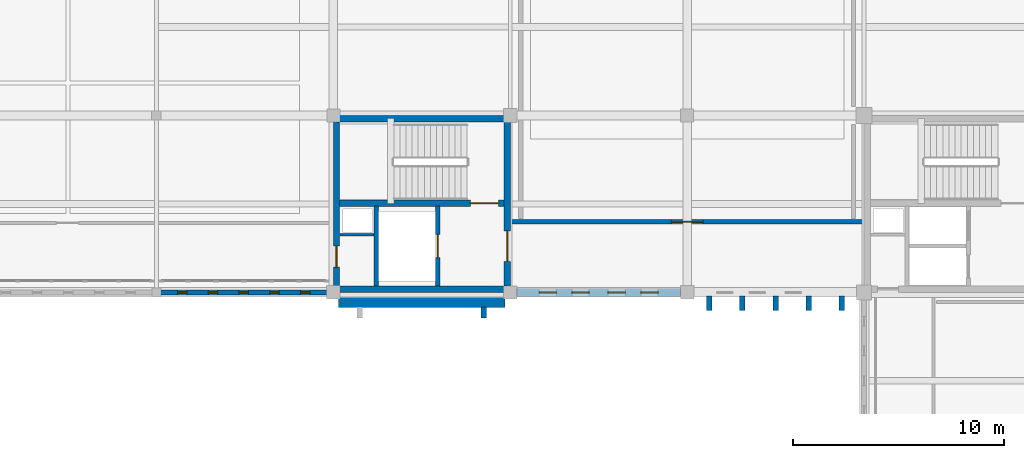
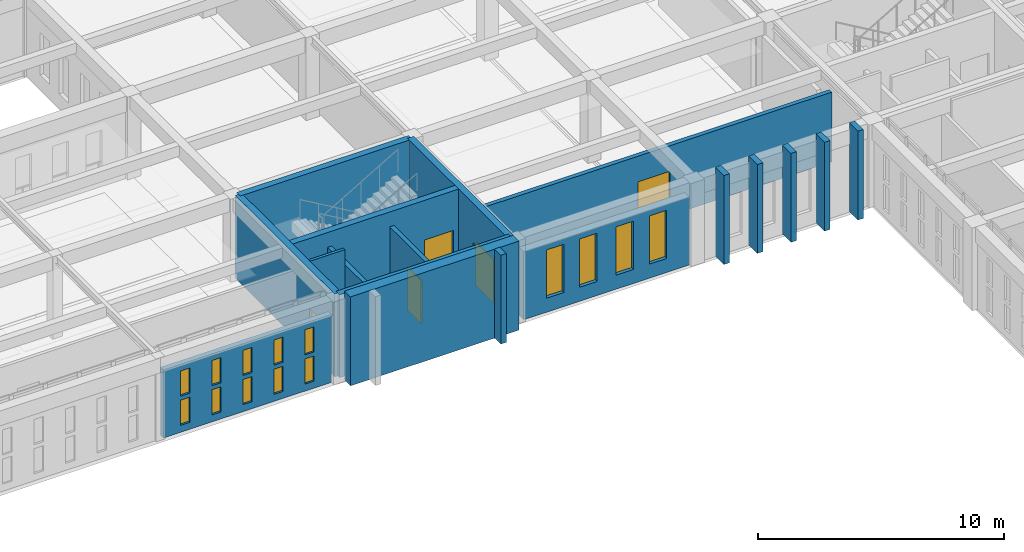
# One storey, part 171 of 192: 18 walls, 14 windows, 5 doors, 19 openings.
"""IFC4 building model written with IfcOpenShell, lengths in metres."""

import ifcopenshell
import ifcopenshell.guid

model = None  # the IFC model being written
_history = None  # IfcOwnerHistory: only IFC2X3 demands one
_inside = {}  # id of a spatial element -> (the spatial element, [elements in it])
_under = {}  # id of a project, library or spatial element -> (it, [spatial elements below it])
_declared = {}  # id of a project -> (the project, [libraries it declares])
_typed = {}  # id of a type object -> (the type object, [elements of that type])
_made_of = {}  # id of a material, layer set ... -> (it, [elements and type objects made of it])


def new_model(schema):
    """Start an empty IFC model of exactly this schema.

    Asked for "IFC4X3", IfcOpenShell would pick the latest addendum, in which some entities
    have other attributes; the version numbers below select the first issue.
    IFC2X3 requires an IfcOwnerHistory on every rooted entity: one is made here for all.
    """
    global model, _history
    if schema == "IFC4X3":
        model = ifcopenshell.file(schema_version=(4, 3, 0, 0))
    else:
        model = ifcopenshell.file(schema=schema)
    _inside.clear()
    _under.clear()
    _declared.clear()
    _typed.clear()
    _made_of.clear()
    _history = None
    if model.schema == "IFC2X3":
        org = make("IfcOrganization", Name="unknown")
        user = make(
            "IfcPersonAndOrganization",
            ThePerson=make("IfcPerson", FamilyName="unknown"),
            TheOrganization=org,
        )
        app = make(
            "IfcApplication",
            ApplicationDeveloper=org,
            Version="unknown",
            ApplicationFullName="unknown",
            ApplicationIdentifier="unknown",
        )
        _history = make(
            "IfcOwnerHistory",
            OwningUser=user,
            OwningApplication=app,
            ChangeAction="ADDED",
            CreationDate=0,
        )
    return model


def make(cls, **values):
    """One entity of the class cls with the attributes given. An attribute that is None is left unset."""
    return model.create_entity(
        cls, **{name: value for name, value in values.items() if value is not None}
    )


def rooted(cls, **values):
    """An entity with a GlobalId (a new one), such as an element, a storey or a relation."""
    return make(cls, GlobalId=ifcopenshell.guid.new(), OwnerHistory=_history, **values)


def si_unit(unit_type, name, prefix=None):
    """IfcSIUnit, for example si_unit("LENGTHUNIT", "METRE", prefix="MILLI")."""
    return make("IfcSIUnit", UnitType=unit_type, Prefix=prefix, Name=name)


def assignment(units):
    """IfcUnitAssignment: the units of a project."""
    return None if units is None else make("IfcUnitAssignment", Units=units)


def point(xyz):
    """IfcCartesianPoint."""
    return None if xyz is None else make("IfcCartesianPoint", Coordinates=xyz)


def direction(xyz):
    """IfcDirection."""
    return None if xyz is None else make("IfcDirection", DirectionRatios=xyz)


def frame(location, z_axis=None, x_axis=None):
    """IfcAxis2Placement3D, a coordinate frame: its origin and axes. An axis left out is left unset."""
    return make(
        "IfcAxis2Placement3D",
        Location=point(location),
        Axis=direction(z_axis),
        RefDirection=direction(x_axis),
    )


def frame_2d(location, x_axis=None):
    """IfcAxis2Placement2D, a coordinate frame in the plane: its origin and x axis."""
    return make(
        "IfcAxis2Placement2D", Location=point(location), RefDirection=direction(x_axis)
    )


def origin():
    """The frame at (0, 0, 0) with its axes left unset."""
    return frame((0.0, 0.0, 0.0))


def place(relative_to, where):
    """IfcLocalPlacement: puts the frame where relative to a parent placement (None: the world)."""
    return make(
        "IfcLocalPlacement", PlacementRelTo=relative_to, RelativePlacement=where
    )


def context(
    kind, dimensions, precision=None, world=None, true_north=None, identifier=None
):
    """IfcGeometricRepresentationContext, for example the 3D "Model" context."""
    return make(
        "IfcGeometricRepresentationContext",
        ContextIdentifier=identifier,
        ContextType=kind,
        CoordinateSpaceDimension=dimensions,
        Precision=precision,
        WorldCoordinateSystem=world,
        TrueNorth=true_north,
    )


def subcontext(parent, identifier, kind, view, scale=None):
    """IfcGeometricRepresentationSubContext, for example "Body" below "Model"."""
    return make(
        "IfcGeometricRepresentationSubContext",
        ContextIdentifier=identifier,
        ContextType=kind,
        ParentContext=parent,
        TargetScale=scale,
        TargetView=view,
    )


def project(units=None, contexts=None):
    """IfcProject with its units and contexts."""
    return rooted(
        "IfcProject",
        Name="project",
        RepresentationContexts=contexts,
        UnitsInContext=assignment(units),
    )


def spatial(cls, under=None, at=None, **own):
    """A site, building, storey or space (cls), placed at a placement, below another one or the project."""
    s = rooted(cls, ObjectPlacement=at, **own)
    if under is not None:
        _under.setdefault(under.id(), (under, []))[1].append(s)
    return s


def profile(cls, at=None, kind="AREA", **sizes):
    """A parametric profile (cls). Its sizes go by their IFC names, for example OverallWidth=200.0."""
    return make(cls, ProfileType=kind, Position=at, **sizes)


def rectangle(**sizes):
    """IfcRectangleProfileDef."""
    return profile("IfcRectangleProfileDef", **sizes)


def extrude(swept, where, along, depth):
    """IfcExtrudedAreaSolid: the profile swept, set in the frame where, extruded along a direction by depth."""
    return make(
        "IfcExtrudedAreaSolid",
        SweptArea=swept,
        Position=where,
        ExtrudedDirection=direction(along),
        Depth=depth,
    )


def shape(context_of_items, identifier, shape_type, items):
    """IfcShapeRepresentation: the items that make up one representation, for example the "Body"."""
    return make(
        "IfcShapeRepresentation",
        ContextOfItems=context_of_items,
        RepresentationIdentifier=identifier,
        RepresentationType=shape_type,
        Items=items,
    )


def material(Name=None, Category=None):
    """IfcMaterial."""
    return make("IfcMaterial", Name=Name, Category=Category)


def layer(
    of_material, thickness, ventilated=None, Name=None, Category=None, Priority=None
):
    """IfcMaterialLayer: one layer of a wall or slab, of a material (None: an air gap)."""
    return make(
        "IfcMaterialLayer",
        Material=of_material,
        LayerThickness=thickness,
        IsVentilated=ventilated,
        Name=Name,
        Category=Category,
        Priority=Priority,
    )


def layer_set(layers, Name=None):
    """IfcMaterialLayerSet."""
    return make("IfcMaterialLayerSet", MaterialLayers=layers, LayerSetName=Name)


def made_of(thing, what):
    """Note that an element or type object is made of a material, layer set ...; save() writes the relation."""
    if what is not None:
        _made_of.setdefault(what.id(), (what, []))[1].append(thing)
    return thing


def type_object(cls, material=None, **own):
    """A type object (cls), such as IfcWallType, which elements share."""
    return made_of(rooted(cls, **own), material)


def element(
    cls,
    number,
    at=None,
    inside=None,
    cuts=None,
    type_object=None,
    material=None,
    context=None,
    identifier="Body",
    shape_type=None,
    held_by="IfcProductDefinitionShape",
    body=None,
    shapes=None,
    **own,
):
    """One element of the class cls, such as IfcWall. Its Tag is "e" and its number.

    at: its placement. inside: the storey or other place that contains it. cuts: it is an
    opening in that element (IfcRelVoidsElement). A single representation is given by context,
    identifier, shape_type and body (its items); several are given by shapes. held_by: the class
    of the entity that holds the representations. save() writes the other relations.
    """
    e = rooted(cls, Tag="e%d" % number, ObjectPlacement=at, **own)
    if body is not None:
        shapes = [shape(context, identifier, shape_type, body)]
    if shapes is not None:
        e.Representation = make(held_by, Representations=shapes)
    if inside is not None:
        _inside.setdefault(inside.id(), (inside, []))[1].append(e)
    if cuts is not None:
        rooted(
            "IfcRelVoidsElement", RelatingBuildingElement=cuts, RelatedOpeningElement=e
        )
    if type_object is not None:
        _typed.setdefault(type_object.id(), (type_object, []))[1].append(e)
    return made_of(e, material)


def fill(opening, filler):
    """IfcRelFillsElement: the door or window that sits in an opening."""
    return rooted(
        "IfcRelFillsElement",
        RelatingOpeningElement=opening,
        RelatedBuildingElement=filler,
    )


def aggregate(whole, parts):
    """IfcRelAggregates: a whole, such as a stair, and the parts it consists of."""
    return rooted("IfcRelAggregates", RelatingObject=whole, RelatedObjects=parts)


def save(model, path):
    """Write the relations noted so far, then the file.

    IfcRelAggregates (storeys below a building ...), IfcRelContainedInSpatialStructure (elements
    in a storey), IfcRelDefinesByType, IfcRelAssociatesMaterial and IfcRelDeclares: one each for
    every whole, place, type object, material and project.
    """
    for whole, parts in _under.values():
        aggregate(whole, parts)
    for where, things in _inside.values():
        rooted(
            "IfcRelContainedInSpatialStructure",
            RelatedElements=things,
            RelatingStructure=where,
        )
    for kind, things in _typed.values():
        rooted("IfcRelDefinesByType", RelatedObjects=things, RelatingType=kind)
    for what, things in _made_of.values():
        rooted("IfcRelAssociatesMaterial", RelatedObjects=things, RelatingMaterial=what)
    for by, libraries in _declared.values():
        rooted("IfcRelDeclares", RelatingContext=by, RelatedDefinitions=libraries)
    model.write(path)


model = new_model("IFC4")

# Units and contexts
model_context = context("Model", 3, precision=1e-05, world=origin(), true_north=direction((0.0, 1.0)))
body_context = subcontext(model_context, "Body", "Model", "MODEL_VIEW")
ifc_project = project(units=[si_unit("LENGTHUNIT", "METRE"), si_unit("AREAUNIT", "SQUARE_METRE"), si_unit("VOLUMEUNIT", "CUBIC_METRE"), si_unit("PLANEANGLEUNIT", "RADIAN"), si_unit("MASSUNIT", "GRAM", prefix="KILO")], contexts=[model_context])

# Site, building, storey
site_placement = place(None, origin())
site = spatial("IfcSite", under=ifc_project, at=site_placement, CompositionType="ELEMENT")
building_placement = place(site_placement, origin())
building = spatial("IfcBuilding", under=site, at=building_placement, Name="Kveldsbrygga Polytechnic", CompositionType="ELEMENT")
storey_placement = place(building_placement, frame((0.0, 0.0, 5.43994140625)))
storey = spatial("IfcBuildingStorey", under=building, at=storey_placement, Name="L01", CompositionType="ELEMENT", Elevation=5.43994140625)

# Wall
ifc_material_1 = material(Name="Fired clay brick masonry M10", Category="masonry")
ifc_layer_1 = layer(ifc_material_1, 0.47998046875)
ifc_layer_set_1 = layer_set([ifc_layer_1], Name="Fired clay brick masonry M10")
wall_type_1 = type_object("IfcWallType", Name="EW-BAST-480", PredefinedType="SOLIDWALL", material=ifc_layer_set_1)
wall_1_placement = place(storey_placement, frame((101.0400390625, 83.52001953125, 0.0), z_axis=(0.0, 0.0, 1.0), x_axis=(1.0, 0.0, 0.0)))
element("IfcWall", 1, at=wall_1_placement, inside=storey, type_object=wall_type_1, Name="Corner Stair Bastion Wall BAST-L01-X-12-10", PredefinedType="SOLIDWALL", context=body_context, shape_type="SweptSolid", body=[
    extrude(rectangle(XDim=7.919921875, YDim=0.47998046875, at=frame_2d((3.9599609375, 0.0))), origin(), (0.0, 0.0, 1.0), 4.420166015625),
])

# Wall, openings, windows
ifc_layer_2 = layer(ifc_material_1, 0.3798828125)
ifc_layer_set_2 = layer_set([ifc_layer_2], Name="Fired clay brick masonry M10")
wall_type_2 = type_object("IfcWallType", Name="EW-BRICK-380", PredefinedType="SOLIDWALL", material=ifc_layer_set_2)
wall_2_placement = place(storey_placement, frame((109.4951171875, 84.0, 0.0), z_axis=(0.0, 0.0, 1.0), x_axis=(1.0, 0.0, 0.0)))
wall_2 = element("IfcWall", 2, at=wall_2_placement, inside=storey, type_object=wall_type_2, Name="Exterior Brick Wall EW-L01-X-13-10", PredefinedType="SOLIDWALL", context=body_context, shape_type="SweptSolid", body=[
    extrude(rectangle(XDim=7.794921875, YDim=0.3798828125, at=frame_2d((3.8974609375, 0.0))), origin(), (0.0, 0.0, 1.0), 3.380126953125),
])
opening_1_placement = place(wall_2_placement, frame((1.071044921875, 0.0, 0.699951171875)))
opening_1 = element("IfcOpeningElement", 3, at=opening_1_placement, cuts=wall_2, Name="Opening W-12", PredefinedType="OPENING", context=body_context, shape_type="SweptSolid", body=[
    extrude(rectangle(XDim=0.820068359375, YDim=2.39990234375, at=frame_2d((0.41015625, 1.199951171875))), frame((0.0, 0.199951171875, 0.0), z_axis=(0.0, -1.0, 0.0), x_axis=(1.0, 0.0, 0.0)), (0.0, 0.0, 1.0), 0.39990234375),
])
opening_2_placement = place(wall_2_placement, frame((2.630126953125, 0.0, 0.699951171875)))
opening_2 = element("IfcOpeningElement", 4, at=opening_2_placement, cuts=wall_2, Name="Opening W-12", PredefinedType="OPENING", context=body_context, shape_type="SweptSolid", body=[
    extrude(rectangle(XDim=0.820068359375, YDim=2.39990234375, at=frame_2d((0.41015625, 1.199951171875))), frame((0.0, 0.199951171875, 0.0), z_axis=(0.0, -1.0, 0.0), x_axis=(1.0, 0.0, 0.0)), (0.0, 0.0, 1.0), 0.39990234375),
])
opening_3_placement = place(wall_2_placement, frame((4.344970703125, 0.0, 0.699951171875)))
opening_3 = element("IfcOpeningElement", 5, at=opening_3_placement, cuts=wall_2, Name="Opening W-12", PredefinedType="OPENING", context=body_context, shape_type="SweptSolid", body=[
    extrude(rectangle(XDim=0.820068359375, YDim=2.39990234375, at=frame_2d((0.41015625, 1.199951171875))), frame((0.0, 0.199951171875, 0.0), z_axis=(0.0, -1.0, 0.0), x_axis=(1.0, 0.0, 0.0)), (0.0, 0.0, 1.0), 0.39990234375),
])
opening_4_placement = place(wall_2_placement, frame((5.904052734375, 0.0, 0.699951171875)))
opening_4 = element("IfcOpeningElement", 6, at=opening_4_placement, cuts=wall_2, Name="Opening W-12", PredefinedType="OPENING", context=body_context, shape_type="SweptSolid", body=[
    extrude(rectangle(XDim=0.820068359375, YDim=2.39990234375, at=frame_2d((0.41015625, 1.199951171875))), frame((0.0, 0.199951171875, 0.0), z_axis=(0.0, -1.0, 0.0), x_axis=(1.0, 0.0, 0.0)), (0.0, 0.0, 1.0), 0.39990234375),
])
ifc_material_2 = material(Name="Insulated triple low-E glass", Category="glass")
window_type_1 = type_object("IfcWindowType", Name="WN-LANC-082x240", PartitioningType="DOUBLE_PANEL_VERTICAL", PredefinedType="WINDOW", material=ifc_material_2)
window_1_placement = place(opening_1_placement, origin())
window_1 = element("IfcWindow", 7, at=window_1_placement, inside=storey, type_object=window_type_1, Name="Gothic Lancet Window WIN-L01-X-13-10-1", OverallHeight=2.39990234375, OverallWidth=0.820068359375, PartitioningType="DOUBLE_PANEL_VERTICAL", PredefinedType="WINDOW", context=body_context, shape_type="SweptSolid", body=[
    extrude(rectangle(XDim=0.820068359375, YDim=2.39990234375, at=frame_2d((0.41015625, 1.199951171875))), frame((0.0, 0.030029296875, 0.0), z_axis=(0.0, -1.0, 0.0), x_axis=(1.0, 0.0, 0.0)), (0.0, 0.0, 1.0), 0.06005859375),
])
fill(opening_1, window_1)
window_2_placement = place(opening_2_placement, origin())
window_2 = element("IfcWindow", 8, at=window_2_placement, inside=storey, type_object=window_type_1, Name="Gothic Lancet Window WIN-L01-X-13-10-2", OverallHeight=2.39990234375, OverallWidth=0.820068359375, PartitioningType="DOUBLE_PANEL_VERTICAL", PredefinedType="WINDOW", context=body_context, shape_type="SweptSolid", body=[
    extrude(rectangle(XDim=0.820068359375, YDim=2.39990234375, at=frame_2d((0.41015625, 1.199951171875))), frame((0.0, 0.030029296875, 0.0), z_axis=(0.0, -1.0, 0.0), x_axis=(1.0, 0.0, 0.0)), (0.0, 0.0, 1.0), 0.06005859375),
])
fill(opening_2, window_2)
window_3_placement = place(opening_3_placement, origin())
window_3 = element("IfcWindow", 9, at=window_3_placement, inside=storey, type_object=window_type_1, Name="Gothic Lancet Window WIN-L01-X-13-10-3", OverallHeight=2.39990234375, OverallWidth=0.820068359375, PartitioningType="DOUBLE_PANEL_VERTICAL", PredefinedType="WINDOW", context=body_context, shape_type="SweptSolid", body=[
    extrude(rectangle(XDim=0.820068359375, YDim=2.39990234375, at=frame_2d((0.41015625, 1.199951171875))), frame((0.0, 0.030029296875, 0.0), z_axis=(0.0, -1.0, 0.0), x_axis=(1.0, 0.0, 0.0)), (0.0, 0.0, 1.0), 0.06005859375),
])
fill(opening_3, window_3)
window_4_placement = place(opening_4_placement, origin())
window_4 = element("IfcWindow", 10, at=window_4_placement, inside=storey, type_object=window_type_1, Name="Gothic Lancet Window WIN-L01-X-13-10-4", OverallHeight=2.39990234375, OverallWidth=0.820068359375, PartitioningType="DOUBLE_PANEL_VERTICAL", PredefinedType="WINDOW", context=body_context, shape_type="SweptSolid", body=[
    extrude(rectangle(XDim=0.820068359375, YDim=2.39990234375, at=frame_2d((0.41015625, 1.199951171875))), frame((0.0, 0.030029296875, 0.0), z_axis=(0.0, -1.0, 0.0), x_axis=(1.0, 0.0, 0.0)), (0.0, 0.0, 1.0), 0.06005859375),
])
fill(opening_4, window_4)

# Walls
ifc_layer_3 = layer(ifc_material_1, 0.260009765625)
ifc_layer_set_3 = layer_set([ifc_layer_3], Name="Fired clay brick masonry M10")
wall_type_3 = type_object("IfcWallType", Name="EW-BUTT-260", PredefinedType="SOLIDWALL", material=ifc_layer_set_3)
wall_3_placement = place(storey_placement, frame((107.949951171875, 83.300048828125, 0.0), z_axis=(0.0, 0.0, 1.0), x_axis=(0.0, -1.0, 0.0)))
element("IfcWall", 11, at=wall_3_placement, inside=storey, type_object=wall_type_3, Name="Gothic Brick Buttress Pier BCLAS-L01-X-12-10-2", PredefinedType="SOLIDWALL", context=body_context, shape_type="SweptSolid", body=[
    extrude(rectangle(XDim=0.52001953125, YDim=0.260009765625, at=frame_2d((0.260009765625, 0.0))), origin(), (0.0, 0.0, 1.0), 4.420166015625),
])
for number, where, z_axis, x_axis, name in (
    (12, (118.64990234375, 83.8349609375, 0.0), (0.0, 0.0, 1.0), (0.0, -1.0, 0.0), "Gothic Brick Buttress Pier BUTT-L01-X-14-10-1"),
    (13, (120.219970703125, 83.8349609375, 0.0), (0.0, 0.0, 1.0), (0.0, -1.0, 0.0), "Gothic Brick Buttress Pier BUTT-L01-X-14-10-2"),
    (14, (121.800048828125, 83.8349609375, 0.0), (0.0, 0.0, 1.0), (0.0, -1.0, 0.0), "Gothic Brick Buttress Pier BUTT-L01-X-14-10-3"),
    (15, (123.3798828125, 83.8349609375, 0.0), (0.0, 0.0, 1.0), (0.0, -1.0, 0.0), "Gothic Brick Buttress Pier BUTT-L01-X-14-10-4"),
    (16, (124.949951171875, 83.8349609375, 0.0), (0.0, 0.0, 1.0), (0.0, -1.0, 0.0), "Gothic Brick Buttress Pier BUTT-L01-X-14-10-5"),
):
    element("IfcWall", number, at=place(storey_placement, frame(where, z_axis=z_axis, x_axis=x_axis)), inside=storey, type_object=wall_type_3, Name=name, PredefinedType="SOLIDWALL", context=body_context, shape_type="SweptSolid", body=[
        extrude(rectangle(XDim=0.699951171875, YDim=0.260009765625, at=frame_2d((0.35009765625, 0.0))), origin(), (0.0, 0.0, 1.0), 4.420166015625),
    ])

# Wall, openings, windows
ifc_layer_4 = layer(ifc_material_1, 0.239990234375)
ifc_layer_set_4 = layer_set([ifc_layer_4], Name="Fired clay brick masonry M10")
wall_type_4 = type_object("IfcWallType", Name="EW-SCRN-240", PredefinedType="SOLIDWALL", material=ifc_layer_set_4)
wall_4_placement = place(storey_placement, frame((92.594970703125, 84.0, 0.0), z_axis=(0.0, 0.0, 1.0), x_axis=(1.0, 0.0, 0.0)))
wall_4 = element("IfcWall", 17, at=wall_4_placement, inside=storey, type_object=wall_type_4, Name="Perforated Brick Corridor Screen Wall SCRW-L01-X-11-10", PredefinedType="SOLIDWALL", context=body_context, shape_type="SweptSolid", body=[
    extrude(rectangle(XDim=7.89501953125, YDim=0.239990234375, at=frame_2d((3.947509765625, 0.0))), origin(), (0.0, 0.0, 1.0), 3.380126953125),
])
opening_5_placement = place(wall_4_placement, frame((0.8095703125, 0.0, 0.35009765625)))
opening_5 = element("IfcOpeningElement", 18, at=opening_5_placement, cuts=wall_4, Name="Opening W-48", PredefinedType="OPENING", context=body_context, shape_type="SweptSolid", body=[
    extrude(rectangle(XDim=0.43994140625, YDim=1.25, at=frame_2d((0.219970703125, 0.625))), frame((0.0, 0.1298828125, 0.0), z_axis=(0.0, -1.0, 0.0), x_axis=(1.0, 0.0, 0.0)), (0.0, 0.0, 1.0), 0.260009765625),
])
opening_6_placement = place(wall_4_placement, frame((2.2685546875, 0.0, 0.35009765625)))
opening_6 = element("IfcOpeningElement", 19, at=opening_6_placement, cuts=wall_4, Name="Opening W-48", PredefinedType="OPENING", context=body_context, shape_type="SweptSolid", body=[
    extrude(rectangle(XDim=0.43994140625, YDim=1.25, at=frame_2d((0.219970703125, 0.625))), frame((0.0, 0.1298828125, 0.0), z_axis=(0.0, -1.0, 0.0), x_axis=(1.0, 0.0, 0.0)), (0.0, 0.0, 1.0), 0.260009765625),
])
opening_7_placement = place(wall_4_placement, frame((3.7275390625, 0.0, 0.35009765625)))
opening_7 = element("IfcOpeningElement", 20, at=opening_7_placement, cuts=wall_4, Name="Opening W-48", PredefinedType="OPENING", context=body_context, shape_type="SweptSolid", body=[
    extrude(rectangle(XDim=0.43994140625, YDim=1.25, at=frame_2d((0.219970703125, 0.625))), frame((0.0, 0.1298828125, 0.0), z_axis=(0.0, -1.0, 0.0), x_axis=(1.0, 0.0, 0.0)), (0.0, 0.0, 1.0), 0.260009765625),
])
opening_8_placement = place(wall_4_placement, frame((5.1865234375, 0.0, 0.35009765625)))
opening_8 = element("IfcOpeningElement", 21, at=opening_8_placement, cuts=wall_4, Name="Opening W-48", PredefinedType="OPENING", context=body_context, shape_type="SweptSolid", body=[
    extrude(rectangle(XDim=0.43994140625, YDim=1.25, at=frame_2d((0.219970703125, 0.625))), frame((0.0, 0.1298828125, 0.0), z_axis=(0.0, -1.0, 0.0), x_axis=(1.0, 0.0, 0.0)), (0.0, 0.0, 1.0), 0.260009765625),
])
opening_9_placement = place(wall_4_placement, frame((6.6455078125, 0.0, 0.35009765625)))
opening_9 = element("IfcOpeningElement", 22, at=opening_9_placement, cuts=wall_4, Name="Opening W-48", PredefinedType="OPENING", context=body_context, shape_type="SweptSolid", body=[
    extrude(rectangle(XDim=0.43994140625, YDim=1.25, at=frame_2d((0.219970703125, 0.625))), frame((0.0, 0.1298828125, 0.0), z_axis=(0.0, -1.0, 0.0), x_axis=(1.0, 0.0, 0.0)), (0.0, 0.0, 1.0), 0.260009765625),
])
opening_10_placement = place(wall_4_placement, frame((0.8095703125, 0.0, 1.800048828125)))
opening_10 = element("IfcOpeningElement", 23, at=opening_10_placement, cuts=wall_4, Name="Opening W-48", PredefinedType="OPENING", context=body_context, shape_type="SweptSolid", body=[
    extrude(rectangle(XDim=0.43994140625, YDim=1.25, at=frame_2d((0.219970703125, 0.625))), frame((0.0, 0.1298828125, 0.0), z_axis=(0.0, -1.0, 0.0), x_axis=(1.0, 0.0, 0.0)), (0.0, 0.0, 1.0), 0.260009765625),
])
opening_11_placement = place(wall_4_placement, frame((2.2685546875, 0.0, 1.800048828125)))
opening_11 = element("IfcOpeningElement", 24, at=opening_11_placement, cuts=wall_4, Name="Opening W-48", PredefinedType="OPENING", context=body_context, shape_type="SweptSolid", body=[
    extrude(rectangle(XDim=0.43994140625, YDim=1.25, at=frame_2d((0.219970703125, 0.625))), frame((0.0, 0.1298828125, 0.0), z_axis=(0.0, -1.0, 0.0), x_axis=(1.0, 0.0, 0.0)), (0.0, 0.0, 1.0), 0.260009765625),
])
opening_12_placement = place(wall_4_placement, frame((3.7275390625, 0.0, 1.800048828125)))
opening_12 = element("IfcOpeningElement", 25, at=opening_12_placement, cuts=wall_4, Name="Opening W-48", PredefinedType="OPENING", context=body_context, shape_type="SweptSolid", body=[
    extrude(rectangle(XDim=0.43994140625, YDim=1.25, at=frame_2d((0.219970703125, 0.625))), frame((0.0, 0.1298828125, 0.0), z_axis=(0.0, -1.0, 0.0), x_axis=(1.0, 0.0, 0.0)), (0.0, 0.0, 1.0), 0.260009765625),
])
opening_13_placement = place(wall_4_placement, frame((5.1865234375, 0.0, 1.800048828125)))
opening_13 = element("IfcOpeningElement", 26, at=opening_13_placement, cuts=wall_4, Name="Opening W-48", PredefinedType="OPENING", context=body_context, shape_type="SweptSolid", body=[
    extrude(rectangle(XDim=0.43994140625, YDim=1.25, at=frame_2d((0.219970703125, 0.625))), frame((0.0, 0.1298828125, 0.0), z_axis=(0.0, -1.0, 0.0), x_axis=(1.0, 0.0, 0.0)), (0.0, 0.0, 1.0), 0.260009765625),
])
opening_14_placement = place(wall_4_placement, frame((6.6455078125, 0.0, 1.800048828125)))
opening_14 = element("IfcOpeningElement", 27, at=opening_14_placement, cuts=wall_4, Name="Opening W-48", PredefinedType="OPENING", context=body_context, shape_type="SweptSolid", body=[
    extrude(rectangle(XDim=0.43994140625, YDim=1.25, at=frame_2d((0.219970703125, 0.625))), frame((0.0, 0.1298828125, 0.0), z_axis=(0.0, -1.0, 0.0), x_axis=(1.0, 0.0, 0.0)), (0.0, 0.0, 1.0), 0.260009765625),
])
window_type_2 = type_object("IfcWindowType", Name="WN-SCRN-044x125", PartitioningType="SINGLE_PANEL", PredefinedType="WINDOW", material=ifc_material_2)
window_5_placement = place(opening_5_placement, origin())
window_5 = element("IfcWindow", 28, at=window_5_placement, inside=storey, type_object=window_type_2, Name="Perforated Screen Aperture L01-X-11-10-1", OverallHeight=1.25, OverallWidth=0.43994140625, PartitioningType="SINGLE_PANEL", PredefinedType="WINDOW", context=body_context, shape_type="SweptSolid", body=[
    extrude(rectangle(XDim=0.43994140625, YDim=1.25, at=frame_2d((0.219970703125, 0.625))), frame((0.0, 0.030029296875, 0.0), z_axis=(0.0, -1.0, 0.0), x_axis=(1.0, 0.0, 0.0)), (0.0, 0.0, 1.0), 0.06005859375),
])
fill(opening_5, window_5)
window_6_placement = place(opening_6_placement, origin())
window_6 = element("IfcWindow", 29, at=window_6_placement, inside=storey, type_object=window_type_2, Name="Perforated Screen Aperture L01-X-11-10-2", OverallHeight=1.25, OverallWidth=0.43994140625, PartitioningType="SINGLE_PANEL", PredefinedType="WINDOW", context=body_context, shape_type="SweptSolid", body=[
    extrude(rectangle(XDim=0.43994140625, YDim=1.25, at=frame_2d((0.219970703125, 0.625))), frame((0.0, 0.030029296875, 0.0), z_axis=(0.0, -1.0, 0.0), x_axis=(1.0, 0.0, 0.0)), (0.0, 0.0, 1.0), 0.06005859375),
])
fill(opening_6, window_6)
window_7_placement = place(opening_7_placement, origin())
window_7 = element("IfcWindow", 30, at=window_7_placement, inside=storey, type_object=window_type_2, Name="Perforated Screen Aperture L01-X-11-10-3", OverallHeight=1.25, OverallWidth=0.43994140625, PartitioningType="SINGLE_PANEL", PredefinedType="WINDOW", context=body_context, shape_type="SweptSolid", body=[
    extrude(rectangle(XDim=0.43994140625, YDim=1.25, at=frame_2d((0.219970703125, 0.625))), frame((0.0, 0.030029296875, 0.0), z_axis=(0.0, -1.0, 0.0), x_axis=(1.0, 0.0, 0.0)), (0.0, 0.0, 1.0), 0.06005859375),
])
fill(opening_7, window_7)
window_8_placement = place(opening_8_placement, origin())
window_8 = element("IfcWindow", 31, at=window_8_placement, inside=storey, type_object=window_type_2, Name="Perforated Screen Aperture L01-X-11-10-4", OverallHeight=1.25, OverallWidth=0.43994140625, PartitioningType="SINGLE_PANEL", PredefinedType="WINDOW", context=body_context, shape_type="SweptSolid", body=[
    extrude(rectangle(XDim=0.43994140625, YDim=1.25, at=frame_2d((0.219970703125, 0.625))), frame((0.0, 0.030029296875, 0.0), z_axis=(0.0, -1.0, 0.0), x_axis=(1.0, 0.0, 0.0)), (0.0, 0.0, 1.0), 0.06005859375),
])
fill(opening_8, window_8)
window_9_placement = place(opening_9_placement, origin())
window_9 = element("IfcWindow", 32, at=window_9_placement, inside=storey, type_object=window_type_2, Name="Perforated Screen Aperture L01-X-11-10-5", OverallHeight=1.25, OverallWidth=0.43994140625, PartitioningType="SINGLE_PANEL", PredefinedType="WINDOW", context=body_context, shape_type="SweptSolid", body=[
    extrude(rectangle(XDim=0.43994140625, YDim=1.25, at=frame_2d((0.219970703125, 0.625))), frame((0.0, 0.030029296875, 0.0), z_axis=(0.0, -1.0, 0.0), x_axis=(1.0, 0.0, 0.0)), (0.0, 0.0, 1.0), 0.06005859375),
])
fill(opening_9, window_9)
window_10_placement = place(opening_10_placement, origin())
window_10 = element("IfcWindow", 33, at=window_10_placement, inside=storey, type_object=window_type_2, Name="Perforated Screen Aperture L01-X-11-10-6", OverallHeight=1.25, OverallWidth=0.43994140625, PartitioningType="SINGLE_PANEL", PredefinedType="WINDOW", context=body_context, shape_type="SweptSolid", body=[
    extrude(rectangle(XDim=0.43994140625, YDim=1.25, at=frame_2d((0.219970703125, 0.625))), frame((0.0, 0.030029296875, 0.0), z_axis=(0.0, -1.0, 0.0), x_axis=(1.0, 0.0, 0.0)), (0.0, 0.0, 1.0), 0.06005859375),
])
fill(opening_10, window_10)
window_11_placement = place(opening_11_placement, origin())
window_11 = element("IfcWindow", 34, at=window_11_placement, inside=storey, type_object=window_type_2, Name="Perforated Screen Aperture L01-X-11-10-7", OverallHeight=1.25, OverallWidth=0.43994140625, PartitioningType="SINGLE_PANEL", PredefinedType="WINDOW", context=body_context, shape_type="SweptSolid", body=[
    extrude(rectangle(XDim=0.43994140625, YDim=1.25, at=frame_2d((0.219970703125, 0.625))), frame((0.0, 0.030029296875, 0.0), z_axis=(0.0, -1.0, 0.0), x_axis=(1.0, 0.0, 0.0)), (0.0, 0.0, 1.0), 0.06005859375),
])
fill(opening_11, window_11)
window_12_placement = place(opening_12_placement, origin())
window_12 = element("IfcWindow", 35, at=window_12_placement, inside=storey, type_object=window_type_2, Name="Perforated Screen Aperture L01-X-11-10-8", OverallHeight=1.25, OverallWidth=0.43994140625, PartitioningType="SINGLE_PANEL", PredefinedType="WINDOW", context=body_context, shape_type="SweptSolid", body=[
    extrude(rectangle(XDim=0.43994140625, YDim=1.25, at=frame_2d((0.219970703125, 0.625))), frame((0.0, 0.030029296875, 0.0), z_axis=(0.0, -1.0, 0.0), x_axis=(1.0, 0.0, 0.0)), (0.0, 0.0, 1.0), 0.06005859375),
])
fill(opening_12, window_12)
window_13_placement = place(opening_13_placement, origin())
window_13 = element("IfcWindow", 36, at=window_13_placement, inside=storey, type_object=window_type_2, Name="Perforated Screen Aperture L01-X-11-10-9", OverallHeight=1.25, OverallWidth=0.43994140625, PartitioningType="SINGLE_PANEL", PredefinedType="WINDOW", context=body_context, shape_type="SweptSolid", body=[
    extrude(rectangle(XDim=0.43994140625, YDim=1.25, at=frame_2d((0.219970703125, 0.625))), frame((0.0, 0.030029296875, 0.0), z_axis=(0.0, -1.0, 0.0), x_axis=(1.0, 0.0, 0.0)), (0.0, 0.0, 1.0), 0.06005859375),
])
fill(opening_13, window_13)
window_14_placement = place(opening_14_placement, origin())
window_14 = element("IfcWindow", 37, at=window_14_placement, inside=storey, type_object=window_type_2, Name="Perforated Screen Aperture L01-X-11-10-10", OverallHeight=1.25, OverallWidth=0.43994140625, PartitioningType="SINGLE_PANEL", PredefinedType="WINDOW", context=body_context, shape_type="SweptSolid", body=[
    extrude(rectangle(XDim=0.43994140625, YDim=1.25, at=frame_2d((0.219970703125, 0.625))), frame((0.0, 0.030029296875, 0.0), z_axis=(0.0, -1.0, 0.0), x_axis=(1.0, 0.0, 0.0)), (0.0, 0.0, 1.0), 0.06005859375),
])
fill(opening_14, window_14)

# Wall, opening, door
ifc_layer_5 = layer(ifc_material_1, 0.199951171875)
ifc_layer_set_5 = layer_set([ifc_layer_5], Name="Fired clay brick masonry M10")
wall_type_5 = type_object("IfcWallType", Name="IW-LAB-200", PredefinedType="PARTITIONING", material=ifc_layer_set_5)
wall_5_placement = place(storey_placement, frame((109.22998046875, 87.35009765625, 0.0), z_axis=(0.0, 0.0, 1.0), x_axis=(1.0, 0.0, 0.0)))
wall_5 = element("IfcWall", 38, at=wall_5_placement, inside=storey, type_object=wall_type_5, Name="Partition Wall IW-SP-L01-LAB14-S1", PredefinedType="PARTITIONING", context=body_context, shape_type="SweptSolid", body=[
    extrude(rectangle(XDim=16.739990234375, YDim=0.199951171875, at=frame_2d((8.3701171875, 0.0))), origin(), (0.0, 0.0, 1.0), 3.469970703125),
])
opening_15_placement = place(wall_5_placement, frame((7.6201171875, 0.0, 0.0)))
opening_15 = element("IfcOpeningElement", 39, at=opening_15_placement, cuts=wall_5, Name="Opening ID-L01-058", PredefinedType="OPENING", context=body_context, shape_type="SweptSolid", body=[
    extrude(rectangle(XDim=1.5, YDim=2.199951171875, at=frame_2d((0.75, 1.10009765625))), frame((0.0, 0.10986328125, 0.0), z_axis=(0.0, -1.0, 0.0), x_axis=(1.0, 0.0, 0.0)), (0.0, 0.0, 1.0), 0.219970703125),
])
ifc_material_3 = material(Name="Acoustic oak timber", Category="wood")
door_type_1 = type_object("IfcDoorType", Name="ID-LAB-150x220", OperationType="DOUBLE_DOOR_SINGLE_SWING", PredefinedType="DOOR", material=ifc_material_3)
door_1_placement = place(opening_15_placement, origin())
door_1 = element("IfcDoor", 40, at=door_1_placement, inside=storey, type_object=door_type_1, Name="Interior Door ID-L01-058", OperationType="DOUBLE_DOOR_SINGLE_SWING", OverallHeight=2.199951171875, OverallWidth=1.5, PredefinedType="DOOR", context=body_context, shape_type="SweptSolid", body=[
    extrude(rectangle(XDim=1.5, YDim=2.199951171875, at=frame_2d((0.75, 1.10009765625))), frame((0.0, 0.02490234375, 0.0), z_axis=(0.0, -1.0, 0.0), x_axis=(1.0, 0.0, 0.0)), (0.0, 0.0, 1.0), 0.050048828125),
])
fill(opening_15, door_1)

# Walls
ifc_material_4 = material(Name="Moisture-resistant masonry M10", Category="masonry")
ifc_layer_6 = layer(ifc_material_4, 0.1298828125)
ifc_layer_set_6 = layer_set([ifc_layer_6], Name="Moisture-resistant masonry M10")
wall_type_6 = type_object("IfcWallType", Name="IW-SAN-130", PredefinedType="PARTITIONING", material=ifc_layer_set_6)
wall_6_placement = place(storey_placement, frame((101.1201171875, 86.739990234375, 0.0), z_axis=(0.0, 0.0, 1.0), x_axis=(1.0, 0.0, 0.0)))
element("IfcWall", 41, at=wall_6_placement, inside=storey, type_object=wall_type_6, Name="Core AWC Divider C5-L01-W-RSR", PredefinedType="PARTITIONING", context=body_context, shape_type="SweptSolid", body=[
    extrude(rectangle(XDim=1.619873046875, YDim=0.1298828125, at=frame_2d((0.81005859375, 0.0))), origin(), (0.0, 0.0, 1.0), 4.1201171875),
])
ifc_material_5 = material(Name="Concrete C45/55", Category="concrete")
ifc_layer_7 = layer(ifc_material_5, 0.300048828125)
ifc_layer_set_7 = layer_set([ifc_layer_7], Name="Concrete C45/55")
wall_type_7 = type_object("IfcWallType", Name="WL-CORE-300", PredefinedType="SHEAR", material=ifc_layer_set_7)
for number, where, z_axis, x_axis, name in (
    (42, (100.949951171875, 84.14990234375, 0.0), (0.0, 0.0, 1.0), (1.0, 0.0, 0.0), "Core C5 Shear Wall C5-L01-SW-S"),
    (43, (100.949951171875, 92.25, 0.0), (0.0, 0.0, 1.0), (1.0, 0.0, 0.0), "Core C5 Shear Wall C5-L01-SW-N"),
):
    element("IfcWall", number, at=place(storey_placement, frame(where, z_axis=z_axis, x_axis=x_axis)), inside=storey, type_object=wall_type_7, Name=name, PredefinedType="SHEAR", context=body_context, shape_type="SweptSolid", body=[
        extrude(rectangle(XDim=8.10009765625, YDim=0.300048828125, at=frame_2d((4.050048828125, 0.0))), origin(), (0.0, 0.0, 1.0), 4.1201171875),
    ])

# Wall, opening, door
wall_7_placement = place(storey_placement, frame((100.949951171875, 84.14990234375, 0.0), z_axis=(0.0, 0.0, 1.0), x_axis=(0.0, 1.0, 0.0)))
wall_7 = element("IfcWall", 44, at=wall_7_placement, inside=storey, type_object=wall_type_7, Name="Core C5 Shear Wall C5-L01-SW-W", PredefinedType="SHEAR", context=body_context, shape_type="SweptSolid", body=[
    extrude(rectangle(XDim=8.10009765625, YDim=0.300048828125, at=frame_2d((4.050048828125, 0.0))), origin(), (0.0, 0.0, 1.0), 4.1201171875),
])
opening_16_placement = place(wall_7_placement, frame((1.050048828125, 0.0, 0.0)))
opening_16 = element("IfcOpeningElement", 45, at=opening_16_placement, cuts=wall_7, Name="Opening ID-C5-L01-AWC", PredefinedType="OPENING", context=body_context, shape_type="SweptSolid", body=[
    extrude(rectangle(XDim=1.0, YDim=2.14990234375, at=frame_2d((0.5, 1.074951171875))), frame((0.0, 0.16015625, 0.0), z_axis=(0.0, -1.0, 0.0), x_axis=(1.0, 0.0, 0.0)), (0.0, 0.0, 1.0), 0.320068359375),
])
door_type_2 = type_object("IfcDoorType", Name="ID-AWC-100x215", OperationType="NOTDEFINED", PredefinedType="DOOR", material=ifc_material_3)
door_2_placement = place(opening_16_placement, origin())
door_2 = element("IfcDoor", 46, at=door_2_placement, inside=storey, type_object=door_type_2, Name="Accessible WC Door ID-C5-L01-AWC", OperationType="SINGLE_SWING_LEFT", OverallHeight=2.14990234375, OverallWidth=1.0, PredefinedType="DOOR", context=body_context, shape_type="SweptSolid", body=[
    extrude(rectangle(XDim=1.0, YDim=2.14990234375, at=frame_2d((0.5, 1.074951171875))), frame((0.0, 0.02490234375, 0.0), z_axis=(0.0, -1.0, 0.0), x_axis=(1.0, 0.0, 0.0)), (0.0, 0.0, 1.0), 0.050048828125),
])
fill(opening_16, door_2)

wall_8_placement = place(storey_placement, frame((109.050048828125, 84.14990234375, 0.0), z_axis=(0.0, 0.0, 1.0), x_axis=(0.0, 1.0, 0.0)))
wall_8 = element("IfcWall", 47, at=wall_8_placement, inside=storey, type_object=wall_type_7, Name="Core C5 Shear Wall C5-L01-SW-E", PredefinedType="SHEAR", context=body_context, shape_type="SweptSolid", body=[
    extrude(rectangle(XDim=8.10009765625, YDim=0.300048828125, at=frame_2d((4.050048828125, 0.0))), origin(), (0.0, 0.0, 1.0), 4.1201171875),
])
opening_17_placement = place(wall_8_placement, frame((1.324951171875, 0.0, 0.0)))
opening_17 = element("IfcOpeningElement", 48, at=opening_17_placement, cuts=wall_8, Name="Opening FD-C5-L01-LOB", PredefinedType="OPENING", context=body_context, shape_type="SweptSolid", body=[
    extrude(rectangle(XDim=1.449951171875, YDim=2.14990234375, at=frame_2d((0.72509765625, 1.074951171875))), frame((0.0, 0.16015625, 0.0), z_axis=(0.0, -1.0, 0.0), x_axis=(1.0, 0.0, 0.0)), (0.0, 0.0, 1.0), 0.320068359375),
])
ifc_material_6 = material(Name="Powder-coated galvanised steel", Category="steel")
door_type_3 = type_object("IfcDoorType", Name="ID-LOBBY-145x215", OperationType="DOUBLE_DOOR_SINGLE_SWING", PredefinedType="DOOR", material=ifc_material_6)
door_3_placement = place(opening_17_placement, origin())
door_3 = element("IfcDoor", 49, at=door_3_placement, inside=storey, type_object=door_type_3, Name="Core Lobby Fire Door FD-C5-L01-LOB", OperationType="DOUBLE_DOOR_SINGLE_SWING", OverallHeight=2.14990234375, OverallWidth=1.449951171875, PredefinedType="DOOR", context=body_context, shape_type="SweptSolid", body=[
    extrude(rectangle(XDim=1.449951171875, YDim=2.14990234375, at=frame_2d((0.72509765625, 1.074951171875))), frame((0.0, 0.02490234375, 0.0), z_axis=(0.0, -1.0, 0.0), x_axis=(1.0, 0.0, 0.0)), (0.0, 0.0, 1.0), 0.050048828125),
])
fill(opening_17, door_3)

wall_9_placement = place(storey_placement, frame((101.10009765625, 88.22998046875, 0.0), z_axis=(0.0, 0.0, 1.0), x_axis=(1.0, 0.0, 0.0)))
wall_9 = element("IfcWall", 50, at=wall_9_placement, inside=storey, type_object=wall_type_7, Name="Core C5 Shear Wall C5-L01-W-DIV", PredefinedType="SHEAR", context=body_context, shape_type="SweptSolid", body=[
    extrude(rectangle(XDim=7.7998046875, YDim=0.300048828125, at=frame_2d((3.89990234375, 0.0))), origin(), (0.0, 0.0, 1.0), 4.1201171875),
])
opening_18_placement = place(wall_9_placement, frame((6.199951171875, 0.0, 0.0)))
opening_18 = element("IfcOpeningElement", 51, at=opening_18_placement, cuts=wall_9, Name="Opening FD-C5-L01-ST", PredefinedType="OPENING", context=body_context, shape_type="SweptSolid", body=[
    extrude(rectangle(XDim=1.35009765625, YDim=2.14990234375, at=frame_2d((0.675048828125, 1.074951171875))), frame((0.0, 0.16015625, 0.0), z_axis=(0.0, -1.0, 0.0), x_axis=(1.0, 0.0, 0.0)), (0.0, 0.0, 1.0), 0.320068359375),
])
door_type_4 = type_object("IfcDoorType", Name="ID-STAIR-135x215", OperationType="NOTDEFINED", PredefinedType="DOOR", material=ifc_material_6)
door_4_placement = place(opening_18_placement, origin())
door_4 = element("IfcDoor", 52, at=door_4_placement, inside=storey, type_object=door_type_4, Name="Stair Fire Door FD-C5-L01-ST", OperationType="SINGLE_SWING_RIGHT", OverallHeight=2.14990234375, OverallWidth=1.35009765625, PredefinedType="DOOR", context=body_context, shape_type="SweptSolid", body=[
    extrude(rectangle(XDim=1.35009765625, YDim=2.14990234375, at=frame_2d((0.675048828125, 1.074951171875))), frame((0.0, 0.02490234375, 0.0), z_axis=(0.0, -1.0, 0.0), x_axis=(1.0, 0.0, 0.0)), (0.0, 0.0, 1.0), 0.050048828125),
])
fill(opening_18, door_4)

ifc_material_7 = material(Name="Concrete C35/45", Category="concrete")
ifc_layer_8 = layer(ifc_material_7, 0.199951171875)
ifc_layer_set_8 = layer_set([ifc_layer_8], Name="Concrete C35/45")
wall_type_8 = type_object("IfcWallType", Name="WL-SHFT-200", PredefinedType="SHEAR", material=ifc_layer_set_8)
wall_10_placement = place(storey_placement, frame((105.760009765625, 84.300048828125, 0.0), z_axis=(0.0, 0.0, 1.0), x_axis=(0.0, 1.0, 0.0)))
wall_10 = element("IfcWall", 53, at=wall_10_placement, inside=storey, type_object=wall_type_8, Name="Lift Front Wall C5-L01-W-LFR", PredefinedType="SHEAR", context=body_context, shape_type="SweptSolid", body=[
    extrude(rectangle(XDim=3.800048828125, YDim=0.199951171875, at=frame_2d((1.89990234375, 0.0))), origin(), (0.0, 0.0, 1.0), 3.380126953125),
])
opening_19_placement = place(wall_10_placement, frame((1.35009765625, 0.0, 0.0)))
opening_19 = element("IfcOpeningElement", 54, at=opening_19_placement, cuts=wall_10, Name="Opening LD-LP-5", PredefinedType="OPENING", context=body_context, shape_type="SweptSolid", body=[
    extrude(rectangle(XDim=1.10009765625, YDim=2.14990234375, at=frame_2d((0.550048828125, 1.074951171875))), frame((0.0, 0.10986328125, 0.0), z_axis=(0.0, -1.0, 0.0), x_axis=(1.0, 0.0, 0.0)), (0.0, 0.0, 1.0), 0.219970703125),
])
ifc_material_8 = material(Name="Brushed stainless steel EN 1.4401", Category="steel")
door_type_5 = type_object("IfcDoorType", Name="LD-PAX-110x215", OperationType="SLIDING_TO_LEFT", PredefinedType="DOOR", material=ifc_material_8)
door_5_placement = place(opening_19_placement, origin())
door_5 = element("IfcDoor", 55, at=door_5_placement, inside=storey, type_object=door_type_5, Name="Lift Landing Sliding Door LD-LP-5-L01", OperationType="SLIDING_TO_LEFT", OverallHeight=2.14990234375, OverallWidth=1.10009765625, PredefinedType="DOOR", context=body_context, shape_type="SweptSolid", body=[
    extrude(rectangle(XDim=1.10009765625, YDim=2.14990234375, at=frame_2d((0.550048828125, 1.074951171875))), frame((0.0, 0.02490234375, 0.0), z_axis=(0.0, -1.0, 0.0), x_axis=(1.0, 0.0, 0.0)), (0.0, 0.0, 1.0), 0.050048828125),
])
fill(opening_19, door_5)

# Wall
wall_11_placement = place(storey_placement, frame((102.840087890625, 84.300048828125, 0.0), z_axis=(0.0, 0.0, 1.0), x_axis=(0.0, 1.0, 0.0)))
element("IfcWall", 56, at=wall_11_placement, inside=storey, type_object=wall_type_8, Name="Lift Back Wall C5-L01-W-LBK", PredefinedType="SHEAR", context=body_context, shape_type="SweptSolid", body=[
    extrude(rectangle(XDim=3.800048828125, YDim=0.199951171875, at=frame_2d((1.89990234375, 0.0))), origin(), (0.0, 0.0, 1.0), 3.380126953125),
])

save(model, "model.ifc")
